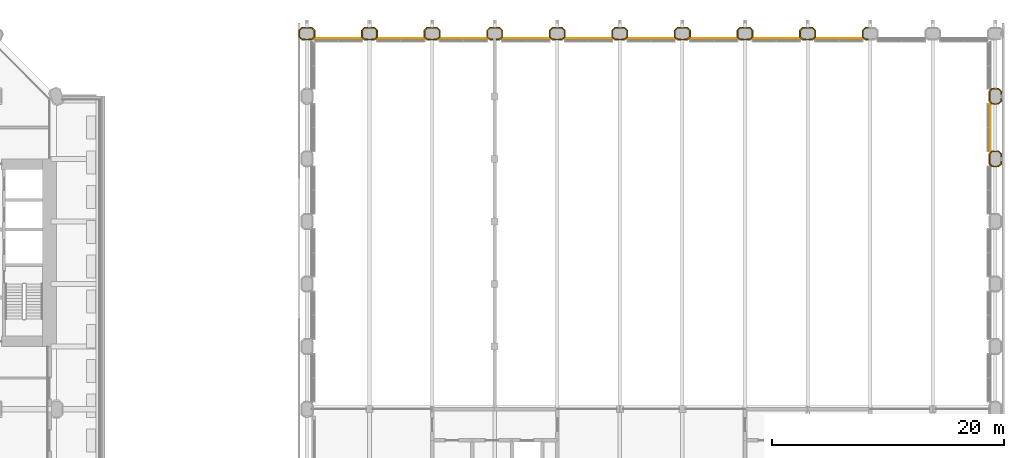
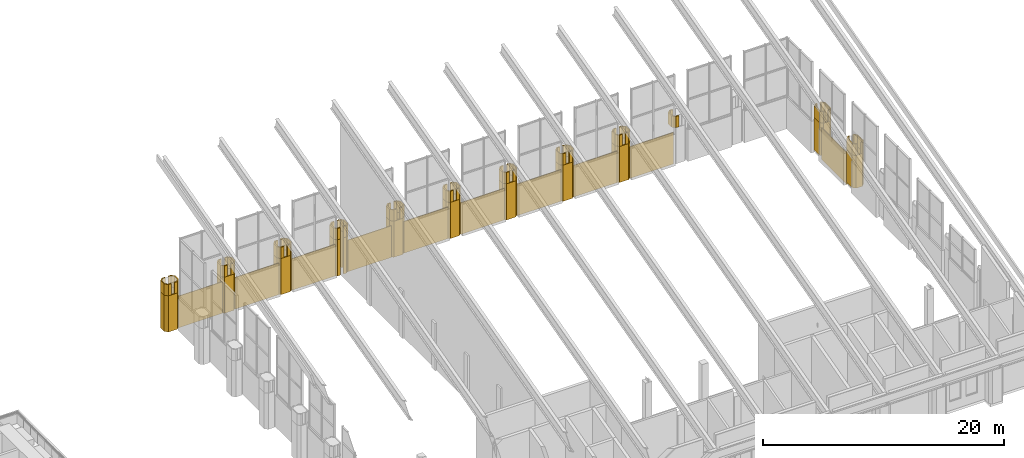
# One storey, part 41 of 42: 44 coverings.
"""IFC4 building model written with IfcOpenShell, lengths in metres."""

import ifcopenshell
import ifcopenshell.guid

model = None  # the IFC model being written
_history = None  # IfcOwnerHistory: only IFC2X3 demands one
_inside = {}  # id of a spatial element -> (the spatial element, [elements in it])
_under = {}  # id of a project, library or spatial element -> (it, [spatial elements below it])
_declared = {}  # id of a project -> (the project, [libraries it declares])
_typed = {}  # id of a type object -> (the type object, [elements of that type])
_made_of = {}  # id of a material, layer set ... -> (it, [elements and type objects made of it])


def new_model(schema):
    """Start an empty IFC model of exactly this schema.

    Asked for "IFC4X3", IfcOpenShell would pick the latest addendum, in which some entities
    have other attributes; the version numbers below select the first issue.
    IFC2X3 requires an IfcOwnerHistory on every rooted entity: one is made here for all.
    """
    global model, _history
    if schema == "IFC4X3":
        model = ifcopenshell.file(schema_version=(4, 3, 0, 0))
    else:
        model = ifcopenshell.file(schema=schema)
    _inside.clear()
    _under.clear()
    _declared.clear()
    _typed.clear()
    _made_of.clear()
    _history = None
    if model.schema == "IFC2X3":
        org = make("IfcOrganization", Name="unknown")
        user = make(
            "IfcPersonAndOrganization",
            ThePerson=make("IfcPerson", FamilyName="unknown"),
            TheOrganization=org,
        )
        app = make(
            "IfcApplication",
            ApplicationDeveloper=org,
            Version="unknown",
            ApplicationFullName="unknown",
            ApplicationIdentifier="unknown",
        )
        _history = make(
            "IfcOwnerHistory",
            OwningUser=user,
            OwningApplication=app,
            ChangeAction="ADDED",
            CreationDate=0,
        )
    return model


def make(cls, **values):
    """One entity of the class cls with the attributes given. An attribute that is None is left unset."""
    return model.create_entity(
        cls, **{name: value for name, value in values.items() if value is not None}
    )


def rooted(cls, **values):
    """An entity with a GlobalId (a new one), such as an element, a storey or a relation."""
    return make(cls, GlobalId=ifcopenshell.guid.new(), OwnerHistory=_history, **values)


def si_unit(unit_type, name, prefix=None):
    """IfcSIUnit, for example si_unit("LENGTHUNIT", "METRE", prefix="MILLI")."""
    return make("IfcSIUnit", UnitType=unit_type, Prefix=prefix, Name=name)


def assignment(units):
    """IfcUnitAssignment: the units of a project."""
    return None if units is None else make("IfcUnitAssignment", Units=units)


def point(xyz):
    """IfcCartesianPoint."""
    return None if xyz is None else make("IfcCartesianPoint", Coordinates=xyz)


def direction(xyz):
    """IfcDirection."""
    return None if xyz is None else make("IfcDirection", DirectionRatios=xyz)


def frame(location, z_axis=None, x_axis=None):
    """IfcAxis2Placement3D, a coordinate frame: its origin and axes. An axis left out is left unset."""
    return make(
        "IfcAxis2Placement3D",
        Location=point(location),
        Axis=direction(z_axis),
        RefDirection=direction(x_axis),
    )


def frame_2d(location, x_axis=None):
    """IfcAxis2Placement2D, a coordinate frame in the plane: its origin and x axis."""
    return make(
        "IfcAxis2Placement2D", Location=point(location), RefDirection=direction(x_axis)
    )


def origin():
    """The frame at (0, 0, 0) with its axes left unset."""
    return frame((0.0, 0.0, 0.0))


def place(relative_to, where):
    """IfcLocalPlacement: puts the frame where relative to a parent placement (None: the world)."""
    return make(
        "IfcLocalPlacement", PlacementRelTo=relative_to, RelativePlacement=where
    )


def context(
    kind, dimensions, precision=None, world=None, true_north=None, identifier=None
):
    """IfcGeometricRepresentationContext, for example the 3D "Model" context."""
    return make(
        "IfcGeometricRepresentationContext",
        ContextIdentifier=identifier,
        ContextType=kind,
        CoordinateSpaceDimension=dimensions,
        Precision=precision,
        WorldCoordinateSystem=world,
        TrueNorth=true_north,
    )


def subcontext(parent, identifier, kind, view, scale=None):
    """IfcGeometricRepresentationSubContext, for example "Body" below "Model"."""
    return make(
        "IfcGeometricRepresentationSubContext",
        ContextIdentifier=identifier,
        ContextType=kind,
        ParentContext=parent,
        TargetScale=scale,
        TargetView=view,
    )


def project(units=None, contexts=None):
    """IfcProject with its units and contexts."""
    return rooted(
        "IfcProject",
        Name="project",
        RepresentationContexts=contexts,
        UnitsInContext=assignment(units),
    )


def spatial(cls, under=None, at=None, **own):
    """A site, building, storey or space (cls), placed at a placement, below another one or the project."""
    s = rooted(cls, ObjectPlacement=at, **own)
    if under is not None:
        _under.setdefault(under.id(), (under, []))[1].append(s)
    return s


def polyline(points):
    """IfcPolyline through the points."""
    return make("IfcPolyline", Points=[point(p) for p in points])


def profile(cls, at=None, kind="AREA", **sizes):
    """A parametric profile (cls). Its sizes go by their IFC names, for example OverallWidth=200.0."""
    return make(cls, ProfileType=kind, Position=at, **sizes)


def rectangle(**sizes):
    """IfcRectangleProfileDef."""
    return profile("IfcRectangleProfileDef", **sizes)


def outline(outer, holes=None, kind="AREA"):
    """IfcArbitraryClosedProfileDef: a profile drawn as a closed curve; with holes, ...WithVoids."""
    if holes is None:
        return make("IfcArbitraryClosedProfileDef", ProfileType=kind, OuterCurve=outer)
    return make(
        "IfcArbitraryProfileDefWithVoids",
        ProfileType=kind,
        OuterCurve=outer,
        InnerCurves=holes,
    )


def extrude(swept, where, along, depth):
    """IfcExtrudedAreaSolid: the profile swept, set in the frame where, extruded along a direction by depth."""
    return make(
        "IfcExtrudedAreaSolid",
        SweptArea=swept,
        Position=where,
        ExtrudedDirection=direction(along),
        Depth=depth,
    )


def shape(context_of_items, identifier, shape_type, items):
    """IfcShapeRepresentation: the items that make up one representation, for example the "Body"."""
    return make(
        "IfcShapeRepresentation",
        ContextOfItems=context_of_items,
        RepresentationIdentifier=identifier,
        RepresentationType=shape_type,
        Items=items,
    )


def material(Name=None, Category=None):
    """IfcMaterial."""
    return make("IfcMaterial", Name=Name, Category=Category)


def layer(
    of_material, thickness, ventilated=None, Name=None, Category=None, Priority=None
):
    """IfcMaterialLayer: one layer of a wall or slab, of a material (None: an air gap)."""
    return make(
        "IfcMaterialLayer",
        Material=of_material,
        LayerThickness=thickness,
        IsVentilated=ventilated,
        Name=Name,
        Category=Category,
        Priority=Priority,
    )


def layer_set(layers, Name=None):
    """IfcMaterialLayerSet."""
    return make("IfcMaterialLayerSet", MaterialLayers=layers, LayerSetName=Name)


def made_of(thing, what):
    """Note that an element or type object is made of a material, layer set ...; save() writes the relation."""
    if what is not None:
        _made_of.setdefault(what.id(), (what, []))[1].append(thing)
    return thing


def type_object(cls, material=None, **own):
    """A type object (cls), such as IfcWallType, which elements share."""
    return made_of(rooted(cls, **own), material)


def element(
    cls,
    number,
    at=None,
    inside=None,
    cuts=None,
    type_object=None,
    material=None,
    context=None,
    identifier="Body",
    shape_type=None,
    held_by="IfcProductDefinitionShape",
    body=None,
    shapes=None,
    **own,
):
    """One element of the class cls, such as IfcWall. Its Tag is "e" and its number.

    at: its placement. inside: the storey or other place that contains it. cuts: it is an
    opening in that element (IfcRelVoidsElement). A single representation is given by context,
    identifier, shape_type and body (its items); several are given by shapes. held_by: the class
    of the entity that holds the representations. save() writes the other relations.
    """
    e = rooted(cls, Tag="e%d" % number, ObjectPlacement=at, **own)
    if body is not None:
        shapes = [shape(context, identifier, shape_type, body)]
    if shapes is not None:
        e.Representation = make(held_by, Representations=shapes)
    if inside is not None:
        _inside.setdefault(inside.id(), (inside, []))[1].append(e)
    if cuts is not None:
        rooted(
            "IfcRelVoidsElement", RelatingBuildingElement=cuts, RelatedOpeningElement=e
        )
    if type_object is not None:
        _typed.setdefault(type_object.id(), (type_object, []))[1].append(e)
    return made_of(e, material)


def aggregate(whole, parts):
    """IfcRelAggregates: a whole, such as a stair, and the parts it consists of."""
    return rooted("IfcRelAggregates", RelatingObject=whole, RelatedObjects=parts)


def save(model, path):
    """Write the relations noted so far, then the file.

    IfcRelAggregates (storeys below a building ...), IfcRelContainedInSpatialStructure (elements
    in a storey), IfcRelDefinesByType, IfcRelAssociatesMaterial and IfcRelDeclares: one each for
    every whole, place, type object, material and project.
    """
    for whole, parts in _under.values():
        aggregate(whole, parts)
    for where, things in _inside.values():
        rooted(
            "IfcRelContainedInSpatialStructure",
            RelatedElements=things,
            RelatingStructure=where,
        )
    for kind, things in _typed.values():
        rooted("IfcRelDefinesByType", RelatedObjects=things, RelatingType=kind)
    for what, things in _made_of.values():
        rooted("IfcRelAssociatesMaterial", RelatedObjects=things, RelatingMaterial=what)
    for by, libraries in _declared.values():
        rooted("IfcRelDeclares", RelatingContext=by, RelatedDefinitions=libraries)
    model.write(path)


model = new_model("IFC4")

# Units and contexts
model_context = context("Model", 3, precision=1e-05, world=origin(), true_north=direction((0.0, 1.0)))
body_context = subcontext(model_context, "Body", "Model", "MODEL_VIEW")
ifc_project = project(units=[si_unit("LENGTHUNIT", "METRE"), si_unit("AREAUNIT", "SQUARE_METRE"), si_unit("VOLUMEUNIT", "CUBIC_METRE"), si_unit("PLANEANGLEUNIT", "RADIAN"), si_unit("MASSUNIT", "GRAM", prefix="KILO")], contexts=[model_context])

# Site, building, storey
site_placement = place(None, origin())
site = spatial("IfcSite", under=ifc_project, at=site_placement, CompositionType="ELEMENT")
building_placement = place(site_placement, origin())
building = spatial("IfcBuilding", under=site, at=building_placement, Name="Tabaq Tower and Sports Hall", CompositionType="ELEMENT")
storey_placement = place(building_placement, frame((0.0, 0.0, 19.800048828125)))
storey = spatial("IfcBuildingStorey", under=building, at=storey_placement, Name="L03", CompositionType="ELEMENT", Elevation=19.800048828125)

# Coverings
ifc_material_1 = material(Name="Precast concrete C60/75", Category="concrete")
ifc_layer_1 = layer(ifc_material_1, 0.10009765625)
ifc_layer_set_1 = layer_set([ifc_layer_1], Name="Column cladding 100")
covering_type_1 = type_object("IfcCoveringType", Name="Column cladding 100", PredefinedType="CLADDING", material=ifc_layer_set_1)
covering_1_placement = place(storey_placement, origin())
element("IfcCovering", 1, at=covering_1_placement, inside=storey, type_object=covering_type_1, Name="Column cladding L03 HC-13I", PredefinedType="CLADDING", context=body_context, shape_type="SweptSolid", body=[
    extrude(outline(polyline([(64.100341796875, 42.90869140625), (64.100341796875, 43.4912109375), (64.358642578125, 43.749755859375), (65.2412109375, 43.749755859375), (65.499755859375, 43.4912109375), (65.499755859375, 42.90869140625), (65.2412109375, 42.650390625), (64.358642578125, 42.650390625), (64.100341796875, 42.90869140625)]), holes=[polyline([(65.2001953125, 42.749755859375), (65.400390625, 42.949951171875), (65.400390625, 43.4501953125), (65.2001953125, 43.650390625), (64.39990234375, 43.650390625), (64.19970703125, 43.4501953125), (64.19970703125, 42.949951171875), (64.39990234375, 42.749755859375), (65.2001953125, 42.749755859375)])]), origin(), (0.0, 0.0, 1.0), 3.658935546875),
])
covering_2_placement = place(storey_placement, frame((0.0, 0.0, 3.658935546875)))
element("IfcCovering", 2, at=covering_2_placement, inside=storey, type_object=covering_type_1, Name="Column cladding L03 HC-13I head", PredefinedType="CLADDING", context=body_context, shape_type="SweptSolid", body=[
    extrude(outline(polyline([(65.2412109375, 43.749755859375), (65.499755859375, 43.4912109375), (65.499755859375, 42.90869140625), (65.2412109375, 42.650390625), (64.952880859375, 42.650390625), (64.952880859375, 42.749755859375), (65.2001953125, 42.749755859375), (65.400390625, 42.949951171875), (65.400390625, 43.4501953125), (65.2001953125, 43.650390625), (64.952880859375, 43.650390625), (64.952880859375, 43.749755859375), (65.2412109375, 43.749755859375)])), origin(), (0.0, 0.0, 1.0), 1.14111328125),
])
covering_3_placement = place(storey_placement, frame((0.0, 0.0, 3.658935546875)))
element("IfcCovering", 3, at=covering_3_placement, inside=storey, type_object=covering_type_1, Name="Column cladding L03 HC-13I head 2", PredefinedType="CLADDING", context=body_context, shape_type="SweptSolid", body=[
    extrude(outline(polyline([(64.100341796875, 43.4912109375), (64.358642578125, 43.749755859375), (64.64697265625, 43.749755859375), (64.64697265625, 43.650390625), (64.39990234375, 43.650390625), (64.19970703125, 43.4501953125), (64.19970703125, 42.949951171875), (64.39990234375, 42.749755859375), (64.64697265625, 42.749755859375), (64.64697265625, 42.650390625), (64.358642578125, 42.650390625), (64.100341796875, 42.90869140625), (64.100341796875, 43.4912109375)])), origin(), (0.0, 0.0, 1.0), 1.14111328125),
])
covering_4_placement = place(storey_placement, origin())
element("IfcCovering", 4, at=covering_4_placement, inside=storey, type_object=covering_type_1, Name="Column cladding L03 HC-14I", PredefinedType="CLADDING", context=body_context, shape_type="SweptSolid", body=[
    extrude(outline(polyline([(69.500244140625, 42.90869140625), (69.500244140625, 43.4912109375), (69.7587890625, 43.749755859375), (70.641357421875, 43.749755859375), (70.899658203125, 43.4912109375), (70.899658203125, 42.90869140625), (70.641357421875, 42.650390625), (69.7587890625, 42.650390625), (69.500244140625, 42.90869140625)]), holes=[polyline([(70.60009765625, 42.749755859375), (70.80029296875, 42.949951171875), (70.80029296875, 43.4501953125), (70.60009765625, 43.650390625), (69.7998046875, 43.650390625), (69.599609375, 43.4501953125), (69.599609375, 42.949951171875), (69.7998046875, 42.749755859375), (70.60009765625, 42.749755859375)])]), origin(), (0.0, 0.0, 1.0), 3.658935546875),
])
covering_5_placement = place(storey_placement, frame((0.0, 0.0, 3.658935546875)))
element("IfcCovering", 5, at=covering_5_placement, inside=storey, type_object=covering_type_1, Name="Column cladding L03 HC-14I head", PredefinedType="CLADDING", context=body_context, shape_type="SweptSolid", body=[
    extrude(outline(polyline([(70.641357421875, 43.749755859375), (70.899658203125, 43.4912109375), (70.899658203125, 42.90869140625), (70.641357421875, 42.650390625), (70.35302734375, 42.650390625), (70.35302734375, 42.749755859375), (70.60009765625, 42.749755859375), (70.80029296875, 42.949951171875), (70.80029296875, 43.4501953125), (70.60009765625, 43.650390625), (70.35302734375, 43.650390625), (70.35302734375, 43.749755859375), (70.641357421875, 43.749755859375)])), origin(), (0.0, 0.0, 1.0), 1.14111328125),
])
covering_6_placement = place(storey_placement, frame((0.0, 0.0, 3.658935546875)))
element("IfcCovering", 6, at=covering_6_placement, inside=storey, type_object=covering_type_1, Name="Column cladding L03 HC-14I head 2", PredefinedType="CLADDING", context=body_context, shape_type="SweptSolid", body=[
    extrude(outline(polyline([(69.500244140625, 43.4912109375), (69.7587890625, 43.749755859375), (70.047119140625, 43.749755859375), (70.047119140625, 43.650390625), (69.7998046875, 43.650390625), (69.599609375, 43.4501953125), (69.599609375, 42.949951171875), (69.7998046875, 42.749755859375), (70.047119140625, 42.749755859375), (70.047119140625, 42.650390625), (69.7587890625, 42.650390625), (69.500244140625, 42.90869140625), (69.500244140625, 43.4912109375)])), origin(), (0.0, 0.0, 1.0), 1.14111328125),
])
covering_7_placement = place(storey_placement, origin())
element("IfcCovering", 7, at=covering_7_placement, inside=storey, type_object=covering_type_1, Name="Column cladding L03 HC-15I", PredefinedType="CLADDING", context=body_context, shape_type="SweptSolid", body=[
    extrude(outline(polyline([(74.900390625, 42.90869140625), (74.900390625, 43.4912109375), (75.15869140625, 43.749755859375), (76.041259765625, 43.749755859375), (76.2998046875, 43.4912109375), (76.2998046875, 42.90869140625), (76.041259765625, 42.650390625), (75.15869140625, 42.650390625), (74.900390625, 42.90869140625)]), holes=[polyline([(76.000244140625, 42.749755859375), (76.2001953125, 42.949951171875), (76.2001953125, 43.4501953125), (76.000244140625, 43.650390625), (75.199951171875, 43.650390625), (74.999755859375, 43.4501953125), (74.999755859375, 42.949951171875), (75.199951171875, 42.749755859375), (76.000244140625, 42.749755859375)])]), origin(), (0.0, 0.0, 1.0), 3.658935546875),
])
covering_8_placement = place(storey_placement, frame((0.0, 0.0, 3.658935546875)))
element("IfcCovering", 8, at=covering_8_placement, inside=storey, type_object=covering_type_1, Name="Column cladding L03 HC-15I head", PredefinedType="CLADDING", context=body_context, shape_type="SweptSolid", body=[
    extrude(outline(polyline([(76.041259765625, 43.749755859375), (76.2998046875, 43.4912109375), (76.2998046875, 42.90869140625), (76.041259765625, 42.650390625), (75.7529296875, 42.650390625), (75.7529296875, 42.749755859375), (76.000244140625, 42.749755859375), (76.2001953125, 42.949951171875), (76.2001953125, 43.4501953125), (76.000244140625, 43.650390625), (75.7529296875, 43.650390625), (75.7529296875, 43.749755859375), (76.041259765625, 43.749755859375)])), origin(), (0.0, 0.0, 1.0), 1.14111328125),
])
covering_9_placement = place(storey_placement, frame((0.0, 0.0, 3.658935546875)))
element("IfcCovering", 9, at=covering_9_placement, inside=storey, type_object=covering_type_1, Name="Column cladding L03 HC-15I head 2", PredefinedType="CLADDING", context=body_context, shape_type="SweptSolid", body=[
    extrude(outline(polyline([(74.900390625, 43.4912109375), (75.15869140625, 43.749755859375), (75.447021484375, 43.749755859375), (75.447021484375, 43.650390625), (75.199951171875, 43.650390625), (74.999755859375, 43.4501953125), (74.999755859375, 42.949951171875), (75.199951171875, 42.749755859375), (75.447021484375, 42.749755859375), (75.447021484375, 42.650390625), (75.15869140625, 42.650390625), (74.900390625, 42.90869140625), (74.900390625, 43.4912109375)])), origin(), (0.0, 0.0, 1.0), 1.14111328125),
])
covering_10_placement = place(storey_placement, origin())
element("IfcCovering", 10, at=covering_10_placement, inside=storey, type_object=covering_type_1, Name="Column cladding L03 HC-16I", PredefinedType="CLADDING", context=body_context, shape_type="SweptSolid", body=[
    extrude(outline(polyline([(80.30029296875, 43.4912109375), (80.55859375, 43.749755859375), (81.44140625, 43.749755859375), (81.69970703125, 43.4912109375), (81.69970703125, 42.90869140625), (81.44140625, 42.650390625), (81.150390625, 42.650390625), (81.150390625, 42.749755859375), (81.400146484375, 42.749755859375), (81.600341796875, 42.949951171875), (81.600341796875, 43.4501953125), (81.400146484375, 43.650390625), (80.599853515625, 43.650390625), (80.399658203125, 43.4501953125), (80.399658203125, 42.949951171875), (80.599853515625, 42.749755859375), (80.849609375, 42.749755859375), (80.849609375, 42.650390625), (80.55859375, 42.650390625), (80.30029296875, 42.90869140625), (80.30029296875, 43.4912109375)])), origin(), (0.0, 0.0, 1.0), 3.658935546875),
])
covering_11_placement = place(storey_placement, frame((0.0, 0.0, 3.658935546875)))
element("IfcCovering", 11, at=covering_11_placement, inside=storey, type_object=covering_type_1, Name="Column cladding L03 HC-16I head", PredefinedType="CLADDING", context=body_context, shape_type="SweptSolid", body=[
    extrude(outline(polyline([(81.44140625, 43.749755859375), (81.69970703125, 43.4912109375), (81.69970703125, 42.90869140625), (81.44140625, 42.650390625), (81.153076171875, 42.650390625), (81.153076171875, 42.749755859375), (81.400146484375, 42.749755859375), (81.600341796875, 42.949951171875), (81.600341796875, 43.4501953125), (81.400146484375, 43.650390625), (81.153076171875, 43.650390625), (81.153076171875, 43.749755859375), (81.44140625, 43.749755859375)])), origin(), (0.0, 0.0, 1.0), 1.14111328125),
])
covering_12_placement = place(storey_placement, frame((0.0, 0.0, 3.658935546875)))
element("IfcCovering", 12, at=covering_12_placement, inside=storey, type_object=covering_type_1, Name="Column cladding L03 HC-16I head 2", PredefinedType="CLADDING", context=body_context, shape_type="SweptSolid", body=[
    extrude(outline(polyline([(80.55859375, 43.749755859375), (80.846923828125, 43.749755859375), (80.846923828125, 43.650390625), (80.599853515625, 43.650390625), (80.399658203125, 43.4501953125), (80.399658203125, 42.949951171875), (80.599853515625, 42.749755859375), (80.846923828125, 42.749755859375), (80.846923828125, 42.650390625), (80.55859375, 42.650390625), (80.30029296875, 42.90869140625), (80.30029296875, 43.4912109375), (80.55859375, 43.749755859375)])), origin(), (0.0, 0.0, 1.0), 1.14111328125),
])
covering_13_placement = place(storey_placement, origin())
element("IfcCovering", 13, at=covering_13_placement, inside=storey, type_object=covering_type_1, Name="Column cladding L03 HC-17I", PredefinedType="CLADDING", context=body_context, shape_type="SweptSolid", body=[
    extrude(outline(polyline([(85.7001953125, 42.90869140625), (85.7001953125, 43.4912109375), (85.958740234375, 43.749755859375), (86.84130859375, 43.749755859375), (87.099609375, 43.4912109375), (87.099609375, 42.90869140625), (86.84130859375, 42.650390625), (85.958740234375, 42.650390625), (85.7001953125, 42.90869140625)]), holes=[polyline([(86.800048828125, 42.749755859375), (87.000244140625, 42.949951171875), (87.000244140625, 43.4501953125), (86.800048828125, 43.650390625), (85.999755859375, 43.650390625), (85.7998046875, 43.4501953125), (85.7998046875, 42.949951171875), (85.999755859375, 42.749755859375), (86.800048828125, 42.749755859375)])]), origin(), (0.0, 0.0, 1.0), 3.658935546875),
])
covering_14_placement = place(storey_placement, frame((0.0, 0.0, 3.658935546875)))
element("IfcCovering", 14, at=covering_14_placement, inside=storey, type_object=covering_type_1, Name="Column cladding L03 HC-17I head", PredefinedType="CLADDING", context=body_context, shape_type="SweptSolid", body=[
    extrude(outline(polyline([(86.84130859375, 43.749755859375), (87.099609375, 43.4912109375), (87.099609375, 42.90869140625), (86.84130859375, 42.650390625), (86.552978515625, 42.650390625), (86.552978515625, 42.749755859375), (86.800048828125, 42.749755859375), (87.000244140625, 42.949951171875), (87.000244140625, 43.4501953125), (86.800048828125, 43.650390625), (86.552978515625, 43.650390625), (86.552978515625, 43.749755859375), (86.84130859375, 43.749755859375)])), origin(), (0.0, 0.0, 1.0), 1.14111328125),
])
covering_15_placement = place(storey_placement, frame((0.0, 0.0, 3.658935546875)))
element("IfcCovering", 15, at=covering_15_placement, inside=storey, type_object=covering_type_1, Name="Column cladding L03 HC-17I head 2", PredefinedType="CLADDING", context=body_context, shape_type="SweptSolid", body=[
    extrude(outline(polyline([(85.7001953125, 43.4912109375), (85.958740234375, 43.749755859375), (86.2470703125, 43.749755859375), (86.2470703125, 43.650390625), (85.999755859375, 43.650390625), (85.7998046875, 43.4501953125), (85.7998046875, 42.949951171875), (85.999755859375, 42.749755859375), (86.2470703125, 42.749755859375), (86.2470703125, 42.650390625), (85.958740234375, 42.650390625), (85.7001953125, 42.90869140625), (85.7001953125, 43.4912109375)])), origin(), (0.0, 0.0, 1.0), 1.14111328125),
])
covering_16_placement = place(storey_placement, origin())
element("IfcCovering", 16, at=covering_16_placement, inside=storey, type_object=covering_type_1, Name="Column cladding L03 HC-18I", PredefinedType="CLADDING", context=body_context, shape_type="SweptSolid", body=[
    extrude(outline(polyline([(91.100341796875, 42.90869140625), (91.100341796875, 43.4912109375), (91.358642578125, 43.749755859375), (92.2412109375, 43.749755859375), (92.499755859375, 43.4912109375), (92.499755859375, 42.90869140625), (92.2412109375, 42.650390625), (91.358642578125, 42.650390625), (91.100341796875, 42.90869140625)]), holes=[polyline([(92.2001953125, 42.749755859375), (92.400390625, 42.949951171875), (92.400390625, 43.4501953125), (92.2001953125, 43.650390625), (91.39990234375, 43.650390625), (91.19970703125, 43.4501953125), (91.19970703125, 42.949951171875), (91.39990234375, 42.749755859375), (92.2001953125, 42.749755859375)])]), origin(), (0.0, 0.0, 1.0), 3.658935546875),
])
covering_17_placement = place(storey_placement, frame((0.0, 0.0, 3.658935546875)))
element("IfcCovering", 17, at=covering_17_placement, inside=storey, type_object=covering_type_1, Name="Column cladding L03 HC-18I head", PredefinedType="CLADDING", context=body_context, shape_type="SweptSolid", body=[
    extrude(outline(polyline([(92.2412109375, 43.749755859375), (92.499755859375, 43.4912109375), (92.499755859375, 42.90869140625), (92.2412109375, 42.650390625), (91.952880859375, 42.650390625), (91.952880859375, 42.749755859375), (92.2001953125, 42.749755859375), (92.400390625, 42.949951171875), (92.400390625, 43.4501953125), (92.2001953125, 43.650390625), (91.952880859375, 43.650390625), (91.952880859375, 43.749755859375), (92.2412109375, 43.749755859375)])), origin(), (0.0, 0.0, 1.0), 1.14111328125),
])
covering_18_placement = place(storey_placement, frame((0.0, 0.0, 3.658935546875)))
element("IfcCovering", 18, at=covering_18_placement, inside=storey, type_object=covering_type_1, Name="Column cladding L03 HC-18I head 2", PredefinedType="CLADDING", context=body_context, shape_type="SweptSolid", body=[
    extrude(outline(polyline([(91.100341796875, 43.4912109375), (91.358642578125, 43.749755859375), (91.64697265625, 43.749755859375), (91.64697265625, 43.650390625), (91.39990234375, 43.650390625), (91.19970703125, 43.4501953125), (91.19970703125, 42.949951171875), (91.39990234375, 42.749755859375), (91.64697265625, 42.749755859375), (91.64697265625, 42.650390625), (91.358642578125, 42.650390625), (91.100341796875, 42.90869140625), (91.100341796875, 43.4912109375)])), origin(), (0.0, 0.0, 1.0), 1.14111328125),
])
covering_19_placement = place(storey_placement, origin())
element("IfcCovering", 19, at=covering_19_placement, inside=storey, type_object=covering_type_1, Name="Column cladding L03 HC-19I", PredefinedType="CLADDING", context=body_context, shape_type="SweptSolid", body=[
    extrude(outline(polyline([(96.500244140625, 42.90869140625), (96.500244140625, 43.4912109375), (96.7587890625, 43.749755859375), (97.641357421875, 43.749755859375), (97.899658203125, 43.4912109375), (97.899658203125, 42.90869140625), (97.641357421875, 42.650390625), (96.7587890625, 42.650390625), (96.500244140625, 42.90869140625)]), holes=[polyline([(97.60009765625, 42.749755859375), (97.80029296875, 42.949951171875), (97.80029296875, 43.4501953125), (97.60009765625, 43.650390625), (96.7998046875, 43.650390625), (96.599609375, 43.4501953125), (96.599609375, 42.949951171875), (96.7998046875, 42.749755859375), (97.60009765625, 42.749755859375)])]), origin(), (0.0, 0.0, 1.0), 3.658935546875),
])
covering_20_placement = place(storey_placement, frame((0.0, 0.0, 3.658935546875)))
element("IfcCovering", 20, at=covering_20_placement, inside=storey, type_object=covering_type_1, Name="Column cladding L03 HC-19I head", PredefinedType="CLADDING", context=body_context, shape_type="SweptSolid", body=[
    extrude(outline(polyline([(97.641357421875, 43.749755859375), (97.899658203125, 43.4912109375), (97.899658203125, 42.90869140625), (97.641357421875, 42.650390625), (97.35302734375, 42.650390625), (97.35302734375, 42.749755859375), (97.60009765625, 42.749755859375), (97.80029296875, 42.949951171875), (97.80029296875, 43.4501953125), (97.60009765625, 43.650390625), (97.35302734375, 43.650390625), (97.35302734375, 43.749755859375), (97.641357421875, 43.749755859375)])), origin(), (0.0, 0.0, 1.0), 1.14111328125),
])
covering_21_placement = place(storey_placement, frame((0.0, 0.0, 3.658935546875)))
element("IfcCovering", 21, at=covering_21_placement, inside=storey, type_object=covering_type_1, Name="Column cladding L03 HC-19I head 2", PredefinedType="CLADDING", context=body_context, shape_type="SweptSolid", body=[
    extrude(outline(polyline([(96.500244140625, 43.4912109375), (96.7587890625, 43.749755859375), (97.047119140625, 43.749755859375), (97.047119140625, 43.650390625), (96.7998046875, 43.650390625), (96.599609375, 43.4501953125), (96.599609375, 42.949951171875), (96.7998046875, 42.749755859375), (97.047119140625, 42.749755859375), (97.047119140625, 42.650390625), (96.7587890625, 42.650390625), (96.500244140625, 42.90869140625), (96.500244140625, 43.4912109375)])), origin(), (0.0, 0.0, 1.0), 1.14111328125),
])
covering_22_placement = place(storey_placement, origin())
element("IfcCovering", 22, at=covering_22_placement, inside=storey, type_object=covering_type_1, Name="Column cladding L03 HC-20I", PredefinedType="CLADDING", context=body_context, shape_type="SweptSolid", body=[
    extrude(outline(polyline([(101.900390625, 42.90869140625), (101.900390625, 43.4912109375), (102.15869140625, 43.749755859375), (103.041259765625, 43.749755859375), (103.2998046875, 43.4912109375), (103.2998046875, 42.90869140625), (103.041259765625, 42.650390625), (102.15869140625, 42.650390625), (101.900390625, 42.90869140625)]), holes=[polyline([(103.000244140625, 42.749755859375), (103.2001953125, 42.949951171875), (103.2001953125, 43.4501953125), (103.000244140625, 43.650390625), (102.199951171875, 43.650390625), (101.999755859375, 43.4501953125), (101.999755859375, 42.949951171875), (102.199951171875, 42.749755859375), (103.000244140625, 42.749755859375)])]), origin(), (0.0, 0.0, 1.0), 3.658935546875),
])
covering_23_placement = place(storey_placement, frame((0.0, 0.0, 3.658935546875)))
element("IfcCovering", 23, at=covering_23_placement, inside=storey, type_object=covering_type_1, Name="Column cladding L03 HC-20I head", PredefinedType="CLADDING", context=body_context, shape_type="SweptSolid", body=[
    extrude(outline(polyline([(103.041259765625, 43.749755859375), (103.2998046875, 43.4912109375), (103.2998046875, 42.90869140625), (103.041259765625, 42.650390625), (102.7529296875, 42.650390625), (102.7529296875, 42.749755859375), (103.000244140625, 42.749755859375), (103.2001953125, 42.949951171875), (103.2001953125, 43.4501953125), (103.000244140625, 43.650390625), (102.7529296875, 43.650390625), (102.7529296875, 43.749755859375), (103.041259765625, 43.749755859375)])), origin(), (0.0, 0.0, 1.0), 1.14111328125),
])
covering_24_placement = place(storey_placement, frame((0.0, 0.0, 3.658935546875)))
element("IfcCovering", 24, at=covering_24_placement, inside=storey, type_object=covering_type_1, Name="Column cladding L03 HC-20I head 2", PredefinedType="CLADDING", context=body_context, shape_type="SweptSolid", body=[
    extrude(outline(polyline([(101.900390625, 43.4912109375), (102.15869140625, 43.749755859375), (102.447021484375, 43.749755859375), (102.447021484375, 43.650390625), (102.199951171875, 43.650390625), (101.999755859375, 43.4501953125), (101.999755859375, 42.949951171875), (102.199951171875, 42.749755859375), (102.447021484375, 42.749755859375), (102.447021484375, 42.650390625), (102.15869140625, 42.650390625), (101.900390625, 42.90869140625), (101.900390625, 43.4912109375)])), origin(), (0.0, 0.0, 1.0), 1.14111328125),
])
covering_25_placement = place(storey_placement, origin())
element("IfcCovering", 25, at=covering_25_placement, inside=storey, type_object=covering_type_1, Name="Column cladding L03 HC-21I", PredefinedType="CLADDING", context=body_context, shape_type="SweptSolid", body=[
    extrude(outline(polyline([(107.30029296875, 42.90869140625), (107.30029296875, 43.4912109375), (107.55859375, 43.749755859375), (108.44140625, 43.749755859375), (108.69970703125, 43.4912109375), (108.69970703125, 42.90869140625), (108.44140625, 42.650390625), (107.55859375, 42.650390625), (107.30029296875, 42.90869140625)]), holes=[polyline([(108.400146484375, 42.749755859375), (108.600341796875, 42.949951171875), (108.600341796875, 43.4501953125), (108.400146484375, 43.650390625), (107.599853515625, 43.650390625), (107.399658203125, 43.4501953125), (107.399658203125, 42.949951171875), (107.599853515625, 42.749755859375), (108.400146484375, 42.749755859375)])]), origin(), (0.0, 0.0, 1.0), 3.658935546875),
])
covering_26_placement = place(storey_placement, frame((0.0, 0.0, 3.658935546875)))
element("IfcCovering", 26, at=covering_26_placement, inside=storey, type_object=covering_type_1, Name="Column cladding L03 HC-21I head", PredefinedType="CLADDING", context=body_context, shape_type="SweptSolid", body=[
    extrude(outline(polyline([(108.44140625, 43.749755859375), (108.69970703125, 43.4912109375), (108.69970703125, 42.90869140625), (108.44140625, 42.650390625), (108.153076171875, 42.650390625), (108.153076171875, 42.749755859375), (108.400146484375, 42.749755859375), (108.600341796875, 42.949951171875), (108.600341796875, 43.4501953125), (108.400146484375, 43.650390625), (108.153076171875, 43.650390625), (108.153076171875, 43.749755859375), (108.44140625, 43.749755859375)])), origin(), (0.0, 0.0, 1.0), 1.14111328125),
])
covering_27_placement = place(storey_placement, frame((0.0, 0.0, 3.658935546875)))
element("IfcCovering", 27, at=covering_27_placement, inside=storey, type_object=covering_type_1, Name="Column cladding L03 HC-21I head 2", PredefinedType="CLADDING", context=body_context, shape_type="SweptSolid", body=[
    extrude(outline(polyline([(107.30029296875, 43.4912109375), (107.55859375, 43.749755859375), (107.846923828125, 43.749755859375), (107.846923828125, 43.650390625), (107.599853515625, 43.650390625), (107.399658203125, 43.4501953125), (107.399658203125, 42.949951171875), (107.599853515625, 42.749755859375), (107.846923828125, 42.749755859375), (107.846923828125, 42.650390625), (107.55859375, 42.650390625), (107.30029296875, 42.90869140625), (107.30029296875, 43.4912109375)])), origin(), (0.0, 0.0, 1.0), 1.14111328125),
])
covering_28_placement = place(storey_placement, frame((0.0, 0.0, 3.658935546875)))
element("IfcCovering", 28, at=covering_28_placement, inside=storey, type_object=covering_type_1, Name="Column cladding L03 HC-22I head 2", PredefinedType="CLADDING", context=body_context, shape_type="SweptSolid", body=[
    extrude(outline(polyline([(112.7001953125, 43.4912109375), (112.958740234375, 43.749755859375), (113.2470703125, 43.749755859375), (113.2470703125, 43.650390625), (112.999755859375, 43.650390625), (112.7998046875, 43.4501953125), (112.7998046875, 42.949951171875), (112.999755859375, 42.749755859375), (113.2470703125, 42.749755859375), (113.2470703125, 42.650390625), (112.958740234375, 42.650390625), (112.7001953125, 42.90869140625), (112.7001953125, 43.4912109375)])), origin(), (0.0, 0.0, 1.0), 1.14111328125),
])
covering_29_placement = place(storey_placement, frame((0.0, 0.0, 0.349853515625)))
element("IfcCovering", 29, at=covering_29_placement, inside=storey, type_object=covering_type_1, Name="Column cladding L03 HC-24G", PredefinedType="CLADDING", context=body_context, shape_type="SweptSolid", body=[
    extrude(outline(polyline([(123.90869140625, 31.7001953125), (123.650390625, 31.958740234375), (123.650390625, 32.84130859375), (123.90869140625, 33.099609375), (124.4912109375, 33.099609375), (124.73974609375, 32.851318359375), (124.73974609375, 32.419677734375), (124.749755859375, 32.419677734375), (124.749755859375, 32.38037109375), (124.73974609375, 32.38037109375), (124.73974609375, 31.94873046875), (124.4912109375, 31.7001953125), (123.90869140625, 31.7001953125)]), holes=[polyline([(124.4501953125, 33.000244140625), (123.949951171875, 33.000244140625), (123.749755859375, 32.800048828125), (123.749755859375, 31.999755859375), (123.949951171875, 31.7998046875), (124.4501953125, 31.7998046875), (124.650390625, 31.999755859375), (124.650390625, 32.800048828125), (124.4501953125, 33.000244140625)])]), origin(), (0.0, 0.0, 1.0), 3.30908203125),
])
covering_30_placement = place(storey_placement, frame((0.0, 0.0, 3.658935546875)))
element("IfcCovering", 30, at=covering_30_placement, inside=storey, type_object=covering_type_1, Name="Column cladding L03 HC-24G head", PredefinedType="CLADDING", context=body_context, shape_type="SweptSolid", body=[
    extrude(outline(polyline([(123.650390625, 31.958740234375), (123.650390625, 32.84130859375), (123.90869140625, 33.099609375), (124.047119140625, 33.099609375), (124.047119140625, 33.000244140625), (123.949951171875, 33.000244140625), (123.749755859375, 32.800048828125), (123.749755859375, 31.999755859375), (123.949951171875, 31.7998046875), (124.047119140625, 31.7998046875), (124.047119140625, 31.7001953125), (123.90869140625, 31.7001953125), (123.650390625, 31.958740234375)])), origin(), (0.0, 0.0, 1.0), 1.14111328125),
])
covering_31_placement = place(storey_placement, frame((0.0, 0.0, 3.658935546875)))
element("IfcCovering", 31, at=covering_31_placement, inside=storey, type_object=covering_type_1, Name="Column cladding L03 HC-24G head 2", PredefinedType="CLADDING", context=body_context, shape_type="SweptSolid", body=[
    extrude(outline(polyline([(124.4912109375, 33.099609375), (124.73974609375, 32.851318359375), (124.73974609375, 32.419677734375), (124.749755859375, 32.419677734375), (124.749755859375, 32.38037109375), (124.73974609375, 32.38037109375), (124.73974609375, 31.94873046875), (124.4912109375, 31.7001953125), (124.35302734375, 31.7001953125), (124.35302734375, 31.7998046875), (124.4501953125, 31.7998046875), (124.650390625, 31.999755859375), (124.650390625, 32.800048828125), (124.4501953125, 33.000244140625), (124.35302734375, 33.000244140625), (124.35302734375, 33.099609375), (124.4912109375, 33.099609375)])), origin(), (0.0, 0.0, 1.0), 1.14111328125),
])
covering_32_placement = place(storey_placement, frame((0.0, 0.0, 0.349853515625)))
element("IfcCovering", 32, at=covering_32_placement, inside=storey, type_object=covering_type_1, Name="Column cladding L03 HC-24H", PredefinedType="CLADDING", context=body_context, shape_type="SweptSolid", body=[
    extrude(outline(polyline([(123.90869140625, 37.100341796875), (123.650390625, 37.358642578125), (123.650390625, 38.2412109375), (123.90869140625, 38.499755859375), (124.4912109375, 38.499755859375), (124.73974609375, 38.251220703125), (124.73974609375, 37.3486328125), (124.4912109375, 37.100341796875), (123.90869140625, 37.100341796875)]), holes=[polyline([(124.4501953125, 38.400390625), (123.949951171875, 38.400390625), (123.749755859375, 38.2001953125), (123.749755859375, 37.39990234375), (123.949951171875, 37.19970703125), (124.4501953125, 37.19970703125), (124.650390625, 37.39990234375), (124.650390625, 38.2001953125), (124.4501953125, 38.400390625)])]), origin(), (0.0, 0.0, 1.0), 3.30908203125),
])
covering_33_placement = place(storey_placement, frame((0.0, 0.0, 3.658935546875)))
element("IfcCovering", 33, at=covering_33_placement, inside=storey, type_object=covering_type_1, Name="Column cladding L03 HC-24H head", PredefinedType="CLADDING", context=body_context, shape_type="SweptSolid", body=[
    extrude(outline(polyline([(123.650390625, 37.358642578125), (123.650390625, 38.2412109375), (123.90869140625, 38.499755859375), (124.047119140625, 38.499755859375), (124.047119140625, 38.400390625), (123.949951171875, 38.400390625), (123.749755859375, 38.2001953125), (123.749755859375, 37.39990234375), (123.949951171875, 37.19970703125), (124.047119140625, 37.19970703125), (124.047119140625, 37.100341796875), (123.90869140625, 37.100341796875), (123.650390625, 37.358642578125)])), origin(), (0.0, 0.0, 1.0), 1.14111328125),
])
covering_34_placement = place(storey_placement, frame((0.0, 0.0, 3.658935546875)))
element("IfcCovering", 34, at=covering_34_placement, inside=storey, type_object=covering_type_1, Name="Column cladding L03 HC-24H head 2", PredefinedType="CLADDING", context=body_context, shape_type="SweptSolid", body=[
    extrude(outline(polyline([(124.4912109375, 38.499755859375), (124.73974609375, 38.251220703125), (124.73974609375, 37.3486328125), (124.4912109375, 37.100341796875), (124.35302734375, 37.100341796875), (124.35302734375, 37.19970703125), (124.4501953125, 37.19970703125), (124.650390625, 37.39990234375), (124.650390625, 38.2001953125), (124.4501953125, 38.400390625), (124.35302734375, 38.400390625), (124.35302734375, 38.499755859375), (124.4912109375, 38.499755859375)])), origin(), (0.0, 0.0, 1.0), 1.14111328125),
])
ifc_material_2 = material(Name="Precast concrete C60/75", Category="concrete")
ifc_layer_2 = layer(ifc_material_2, 0.06005859375)
ifc_layer_set_2 = layer_set([ifc_layer_2], Name="White precast cladding panel 60 C60/75")
covering_type_2 = type_object("IfcCoveringType", Name="White precast cladding panel 60 C60/75", PredefinedType="CLADDING", material=ifc_layer_set_2)
covering_35_placement = place(storey_placement, frame((123.780029296875, 33.0, 0.0), z_axis=(0.0, 0.0, 1.0), x_axis=(0.0, 1.0, 0.0)))
element("IfcCovering", 35, at=covering_35_placement, inside=storey, type_object=covering_type_2, Name="White precast cladding panel L03 lo", PredefinedType="CLADDING", context=body_context, shape_type="SweptSolid", body=[
    extrude(rectangle(XDim=4.199951171875, YDim=0.06005859375, at=frame_2d((2.10009765625, 0.0))), origin(), (0.0, 0.0, 1.0), 3.199951171875),
])
covering_36_placement = place(storey_placement, frame((65.39990234375, 42.780029296875, 0.0), z_axis=(0.0, 0.0, 1.0), x_axis=(1.0, 0.0, 0.0)))
element("IfcCovering", 36, at=covering_36_placement, inside=storey, type_object=covering_type_2, Name="White precast cladding panel L03 lo", PredefinedType="CLADDING", context=body_context, shape_type="SweptSolid", body=[
    extrude(rectangle(XDim=4.2001953125, YDim=0.06005859375, at=frame_2d((2.10009765625, 0.0))), origin(), (0.0, 0.0, 1.0), 3.199951171875),
])
for number, where, z_axis, x_axis, name in (
    (37, (70.800048828125, 42.780029296875, 0.0), (0.0, 0.0, 1.0), (1.0, 0.0, 0.0), "White precast cladding panel L03 lo"),
    (38, (76.199951171875, 42.780029296875, 0.0), (0.0, 0.0, 1.0), (1.0, 0.0, 0.0), "White precast cladding panel L03 lo"),
    (39, (81.60009765625, 42.780029296875, 0.0), (0.0, 0.0, 1.0), (1.0, 0.0, 0.0), "White precast cladding panel L03 lo"),
    (40, (87.0, 42.780029296875, 0.0), (0.0, 0.0, 1.0), (1.0, 0.0, 0.0), "White precast cladding panel L03 lo"),
):
    element("IfcCovering", number, at=place(storey_placement, frame(where, z_axis=z_axis, x_axis=x_axis)), inside=storey, type_object=covering_type_2, Name=name, PredefinedType="CLADDING", context=body_context, shape_type="SweptSolid", body=[
        extrude(rectangle(XDim=4.199951171875, YDim=0.06005859375, at=frame_2d((2.10009765625, 0.0))), origin(), (0.0, 0.0, 1.0), 3.199951171875),
    ])
covering_37_placement = place(storey_placement, frame((92.39990234375, 42.780029296875, 0.0), z_axis=(0.0, 0.0, 1.0), x_axis=(1.0, 0.0, 0.0)))
element("IfcCovering", 41, at=covering_37_placement, inside=storey, type_object=covering_type_2, Name="White precast cladding panel L03 lo", PredefinedType="CLADDING", context=body_context, shape_type="SweptSolid", body=[
    extrude(rectangle(XDim=4.2001953125, YDim=0.06005859375, at=frame_2d((2.10009765625, 0.0))), origin(), (0.0, 0.0, 1.0), 3.199951171875),
])
for number, where, z_axis, x_axis, name in (
    (42, (97.800048828125, 42.780029296875, 0.0), (0.0, 0.0, 1.0), (1.0, 0.0, 0.0), "White precast cladding panel L03 lo"),
    (43, (103.199951171875, 42.780029296875, 0.0), (0.0, 0.0, 1.0), (1.0, 0.0, 0.0), "White precast cladding panel L03 lo"),
    (44, (108.60009765625, 42.780029296875, 0.0), (0.0, 0.0, 1.0), (1.0, 0.0, 0.0), "White precast cladding panel L03 lo"),
):
    element("IfcCovering", number, at=place(storey_placement, frame(where, z_axis=z_axis, x_axis=x_axis)), inside=storey, type_object=covering_type_2, Name=name, PredefinedType="CLADDING", context=body_context, shape_type="SweptSolid", body=[
        extrude(rectangle(XDim=4.199951171875, YDim=0.06005859375, at=frame_2d((2.10009765625, 0.0))), origin(), (0.0, 0.0, 1.0), 3.199951171875),
    ])

save(model, "model.ifc")
